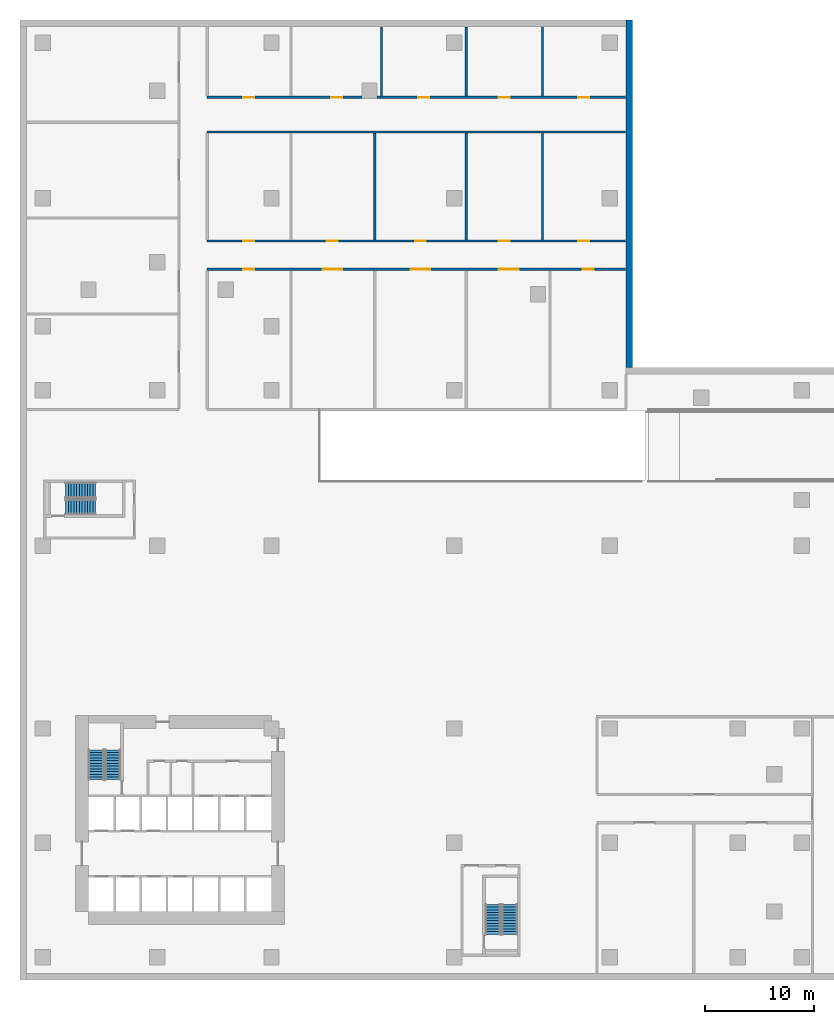
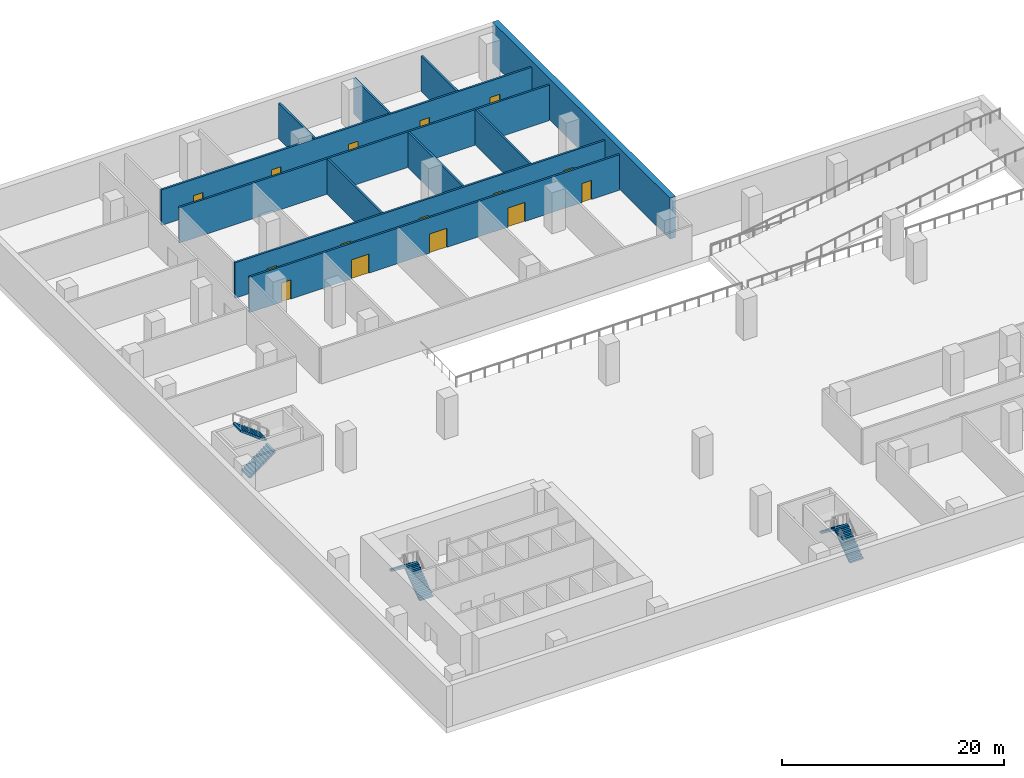
# One storey, part 8 of 12: 15 doors, 11 walls, 6 stair flights, 15 openings, 3 elements without a shape of their own.
"""IFC4 building model written with IfcOpenShell, lengths in metres."""

from ifc_helpers import new_model, si_unit, direction, frame, frame_2d, origin, place, context, subcontext, project, spatial, polyline, rectangle, outline, extrude, source, transform, mapped, material, layer, layer_set, type_object, element, fill, aggregate, save


model = new_model("IFC4")

# Units and contexts
model_context = context("Model", 3, precision=1e-05, world=origin(), true_north=direction((0.0, 1.0)))
body_context = subcontext(model_context, "Body", "Model", "MODEL_VIEW")
ifc_project = project(units=[si_unit("LENGTHUNIT", "METRE"), si_unit("AREAUNIT", "SQUARE_METRE"), si_unit("VOLUMEUNIT", "CUBIC_METRE"), si_unit("PLANEANGLEUNIT", "RADIAN"), si_unit("MASSUNIT", "GRAM", prefix="KILO")], contexts=[model_context])

# Site, building, storey
site_placement = place(None, origin())
site = spatial("IfcSite", under=ifc_project, at=site_placement, CompositionType="ELEMENT")
building_placement = place(site_placement, origin())
building = spatial("IfcBuilding", under=site, at=building_placement, Name="Aurelian Terraces", CompositionType="ELEMENT")
storey_placement = place(building_placement, frame((0.0, 0.0, -4.5)))
storey = spatial("IfcBuildingStorey", under=building, at=storey_placement, Name="B1", CompositionType="ELEMENT", Elevation=-4.5)

# Wall
ifc_material_1 = material(Name="Concrete fc' 40 MPa", Category="concrete")
ifc_layer_1 = layer(ifc_material_1, 0.6)
ifc_layer_set_1 = layer_set([ifc_layer_1], Name="BASEMENT WALL 600 FC40")
wall_type_1 = type_object("IfcWallType", Name="BASEMENT WALL 600 FC40", PredefinedType="SOLIDWALL", material=ifc_layer_set_1)
shared_shape_1 = source(origin(), body_context, "Body", "SweptSolid", [
    extrude(rectangle(XDim=31.92, YDim=0.6, at=frame_2d((15.96, 0.0))), origin(), (0.0, 0.0, 1.0), 4.5),
])
wall_1_placement = place(storey_placement, frame((53.88, 54.18, 0.0), z_axis=(0.0, 0.0, 1.0), x_axis=(0.0, 1.0, 0.0)))
element("IfcWall", 1, at=wall_1_placement, inside=storey, type_object=wall_type_1, Name="Basement wall 1 B1", PredefinedType="SOLIDWALL", context=body_context, shape_type="MappedRepresentation", body=[
    mapped(shared_shape_1, transform((0.0, 0.0, 0.0), scale=1.0)),
])

# Wall, openings, doors
ifc_material_2 = material(Name="Gypsum board on steel studs", Category="steel")
ifc_layer_2 = layer(ifc_material_2, 0.2)
ifc_layer_set_2 = layer_set([ifc_layer_2], Name="Basement partition 200")
wall_type_2 = type_object("IfcWallType", Name="Basement partition 200", PredefinedType="PARTITIONING", material=ifc_layer_set_2)
shared_shape_2 = source(origin(), body_context, "Body", "SweptSolid", [
    extrude(rectangle(XDim=38.42, YDim=0.2, at=frame_2d((19.21, 0.0))), origin(), (0.0, 0.0, 1.0), 3.9),
])
wall_2_placement = place(storey_placement, frame((15.1, 63.2, 0.0), z_axis=(0.0, 0.0, 1.0), x_axis=(1.0, 0.0, 0.0)))
wall_2 = element("IfcWall", 2, at=wall_2_placement, inside=storey, type_object=wall_type_2, Name="B1 partition 007", PredefinedType="PARTITIONING", context=body_context, shape_type="MappedRepresentation", body=[
    mapped(shared_shape_2, transform((0.0, 0.0, 0.0), scale=1.0)),
])
shared_shape_3 = source(origin(), body_context, "Body", "SweptSolid", [
    extrude(rectangle(XDim=1.0, YDim=2.1, at=frame_2d((0.5, 1.05))), frame((0.0, 0.11, 0.0), z_axis=(0.0, -1.0, 0.0), x_axis=(1.0, 0.0, 0.0)), (0.0, 0.0, 1.0), 0.22),
])
opening_1_placement = place(wall_2_placement, frame((3.3, 0.0, 0.0)))
opening_1 = element("IfcOpeningElement", 3, at=opening_1_placement, cuts=wall_2, Name="Opening 50204", PredefinedType="OPENING", context=body_context, shape_type="MappedRepresentation", body=[
    mapped(shared_shape_3, transform((0.0, 0.0, 0.0), scale=1.0)),
])
shared_shape_4 = source(origin(), body_context, "Body", "SweptSolid", [
    extrude(rectangle(XDim=1.8, YDim=2.1, at=frame_2d((0.9, 1.05))), frame((0.0, 0.11, 0.0), z_axis=(0.0, -1.0, 0.0), x_axis=(1.0, 0.0, 0.0)), (0.0, 0.0, 1.0), 0.22),
])
opening_2_placement = place(wall_2_placement, frame((10.6, 0.0, 0.0)))
opening_2 = element("IfcOpeningElement", 4, at=opening_2_placement, cuts=wall_2, Name="Opening 50205", PredefinedType="OPENING", context=body_context, shape_type="MappedRepresentation", body=[
    mapped(shared_shape_4, transform((0.0, 0.0, 0.0), scale=1.0)),
])
opening_3_placement = place(wall_2_placement, frame((18.7, 0.0, 0.0)))
opening_3 = element("IfcOpeningElement", 5, at=opening_3_placement, cuts=wall_2, Name="Opening 50206", PredefinedType="OPENING", context=body_context, shape_type="MappedRepresentation", body=[
    mapped(shared_shape_4, transform((0.0, 0.0, 0.0), scale=1.0)),
])
opening_4_placement = place(wall_2_placement, frame((26.8, 0.0, 0.0)))
opening_4 = element("IfcOpeningElement", 6, at=opening_4_placement, cuts=wall_2, Name="Opening 50207", PredefinedType="OPENING", context=body_context, shape_type="MappedRepresentation", body=[
    mapped(shared_shape_4, transform((0.0, 0.0, 0.0), scale=1.0)),
])
opening_5_placement = place(wall_2_placement, frame((34.5, 0.0, 0.0)))
opening_5 = element("IfcOpeningElement", 7, at=opening_5_placement, cuts=wall_2, Name="Opening 50208", PredefinedType="OPENING", context=body_context, shape_type="MappedRepresentation", body=[
    mapped(shared_shape_3, transform((0.0, 0.0, 0.0), scale=1.0)),
])
ifc_material_3 = material(Name="Steel door leaf", Category="steel")
door_type_1 = type_object("IfcDoorType", Name="Store door 1000x2100", OperationType="SINGLE_SWING_LEFT", PredefinedType="DOOR", material=ifc_material_3)
shared_shape_5 = source(origin(), body_context, "Body", "SweptSolid", [
    extrude(rectangle(XDim=1.0, YDim=2.1, at=frame_2d((0.5, 1.05))), frame((0.0, 0.025, 0.0), z_axis=(0.0, -1.0, 0.0), x_axis=(1.0, 0.0, 0.0)), (0.0, 0.0, 1.0), 0.05),
])
door_1_placement = place(opening_1_placement, origin())
door_1 = element("IfcDoor", 8, at=door_1_placement, inside=storey, type_object=door_type_1, Name="Room door 50204", OperationType="SINGLE_SWING_LEFT", OverallHeight=2.1, OverallWidth=1.0, PredefinedType="DOOR", context=body_context, shape_type="MappedRepresentation", body=[
    mapped(shared_shape_5, transform((0.0, 0.0, 0.0), scale=1.0)),
])
fill(opening_1, door_1)
door_2_placement = place(opening_5_placement, origin())
door_2 = element("IfcDoor", 9, at=door_2_placement, inside=storey, type_object=door_type_1, Name="Room door 50208", OperationType="SINGLE_SWING_LEFT", OverallHeight=2.1, OverallWidth=1.0, PredefinedType="DOOR", context=body_context, shape_type="MappedRepresentation", body=[
    mapped(shared_shape_5, transform((0.0, 0.0, 0.0), scale=1.0)),
])
fill(opening_5, door_2)
door_type_2 = type_object("IfcDoorType", Name="Back of house door double 1800x2100", OperationType="DOUBLE_DOOR_SINGLE_SWING", PredefinedType="DOOR", material=ifc_material_3)
shared_shape_6 = source(origin(), body_context, "Body", "SweptSolid", [
    extrude(rectangle(XDim=1.8, YDim=2.1, at=frame_2d((0.9, 1.05))), frame((0.0, 0.025, 0.0), z_axis=(0.0, -1.0, 0.0), x_axis=(1.0, 0.0, 0.0)), (0.0, 0.0, 1.0), 0.05),
])
door_3_placement = place(opening_2_placement, origin())
door_3 = element("IfcDoor", 10, at=door_3_placement, inside=storey, type_object=door_type_2, Name="Room door 50205", OperationType="DOUBLE_DOOR_SINGLE_SWING", OverallHeight=2.1, OverallWidth=1.8, PredefinedType="DOOR", context=body_context, shape_type="MappedRepresentation", body=[
    mapped(shared_shape_6, transform((0.0, 0.0, 0.0), scale=1.0)),
])
fill(opening_2, door_3)
door_4_placement = place(opening_3_placement, origin())
door_4 = element("IfcDoor", 11, at=door_4_placement, inside=storey, type_object=door_type_2, Name="Room door 50206", OperationType="DOUBLE_DOOR_SINGLE_SWING", OverallHeight=2.1, OverallWidth=1.8, PredefinedType="DOOR", context=body_context, shape_type="MappedRepresentation", body=[
    mapped(shared_shape_6, transform((0.0, 0.0, 0.0), scale=1.0)),
])
fill(opening_3, door_4)
door_5_placement = place(opening_4_placement, origin())
door_5 = element("IfcDoor", 12, at=door_5_placement, inside=storey, type_object=door_type_2, Name="Room door 50207", OperationType="DOUBLE_DOOR_SINGLE_SWING", OverallHeight=2.1, OverallWidth=1.8, PredefinedType="DOOR", context=body_context, shape_type="MappedRepresentation", body=[
    mapped(shared_shape_6, transform((0.0, 0.0, 0.0), scale=1.0)),
])
fill(opening_4, door_5)

wall_3_placement = place(storey_placement, frame((15.1, 65.8, 0.0), z_axis=(0.0, 0.0, 1.0), x_axis=(1.0, 0.0, 0.0)))
wall_3 = element("IfcWall", 13, at=wall_3_placement, inside=storey, type_object=wall_type_2, Name="B1 partition 008", PredefinedType="PARTITIONING", context=body_context, shape_type="MappedRepresentation", body=[
    mapped(shared_shape_2, transform((0.0, 0.0, 0.0), scale=1.0)),
])
opening_6_placement = place(wall_3_placement, frame((3.3, 0.0, 0.0)))
opening_6 = element("IfcOpeningElement", 14, at=opening_6_placement, cuts=wall_3, Name="Opening 50209", PredefinedType="OPENING", context=body_context, shape_type="MappedRepresentation", body=[
    mapped(shared_shape_3, transform((0.0, 0.0, 0.0), scale=1.0)),
])
opening_7_placement = place(wall_3_placement, frame((11.0, 0.0, 0.0)))
opening_7 = element("IfcOpeningElement", 15, at=opening_7_placement, cuts=wall_3, Name="Opening 50210", PredefinedType="OPENING", context=body_context, shape_type="MappedRepresentation", body=[
    mapped(shared_shape_3, transform((0.0, 0.0, 0.0), scale=1.0)),
])
opening_8_placement = place(wall_3_placement, frame((19.1, 0.0, 0.0)))
opening_8 = element("IfcOpeningElement", 16, at=opening_8_placement, cuts=wall_3, Name="Opening 50211", PredefinedType="OPENING", context=body_context, shape_type="MappedRepresentation", body=[
    mapped(shared_shape_3, transform((0.0, 0.0, 0.0), scale=1.0)),
])
opening_9_placement = place(wall_3_placement, frame((26.8, 0.0, 0.0)))
opening_9 = element("IfcOpeningElement", 17, at=opening_9_placement, cuts=wall_3, Name="Opening 50212", PredefinedType="OPENING", context=body_context, shape_type="MappedRepresentation", body=[
    mapped(shared_shape_3, transform((0.0, 0.0, 0.0), scale=1.0)),
])
opening_10_placement = place(wall_3_placement, frame((34.1, 0.0, 0.0)))
opening_10 = element("IfcOpeningElement", 18, at=opening_10_placement, cuts=wall_3, Name="Opening 50213", PredefinedType="OPENING", context=body_context, shape_type="MappedRepresentation", body=[
    mapped(shared_shape_3, transform((0.0, 0.0, 0.0), scale=1.0)),
])
door_type_3 = type_object("IfcDoorType", Name="Store door 1000x2100 right", OperationType="SINGLE_SWING_RIGHT", PredefinedType="DOOR", material=ifc_material_3)
door_6_placement = place(opening_6_placement, origin())
door_6 = element("IfcDoor", 19, at=door_6_placement, inside=storey, type_object=door_type_3, Name="Room door 50209", OperationType="SINGLE_SWING_RIGHT", OverallHeight=2.1, OverallWidth=1.0, PredefinedType="DOOR", context=body_context, shape_type="MappedRepresentation", body=[
    mapped(shared_shape_5, transform((0.0, 0.0, 0.0), scale=1.0)),
])
fill(opening_6, door_6)
door_7_placement = place(opening_7_placement, origin())
door_7 = element("IfcDoor", 20, at=door_7_placement, inside=storey, type_object=door_type_1, Name="Room door 50210", OperationType="SINGLE_SWING_LEFT", OverallHeight=2.1, OverallWidth=1.0, PredefinedType="DOOR", context=body_context, shape_type="MappedRepresentation", body=[
    mapped(shared_shape_5, transform((0.0, 0.0, 0.0), scale=1.0)),
])
fill(opening_7, door_7)
door_8_placement = place(opening_8_placement, origin())
door_8 = element("IfcDoor", 21, at=door_8_placement, inside=storey, type_object=door_type_3, Name="Room door 50211", OperationType="SINGLE_SWING_RIGHT", OverallHeight=2.1, OverallWidth=1.0, PredefinedType="DOOR", context=body_context, shape_type="MappedRepresentation", body=[
    mapped(shared_shape_5, transform((0.0, 0.0, 0.0), scale=1.0)),
])
fill(opening_8, door_8)
door_9_placement = place(opening_9_placement, origin())
door_9 = element("IfcDoor", 22, at=door_9_placement, inside=storey, type_object=door_type_1, Name="Room door 50212", OperationType="SINGLE_SWING_LEFT", OverallHeight=2.1, OverallWidth=1.0, PredefinedType="DOOR", context=body_context, shape_type="MappedRepresentation", body=[
    mapped(shared_shape_5, transform((0.0, 0.0, 0.0), scale=1.0)),
])
fill(opening_9, door_9)
door_10_placement = place(opening_10_placement, origin())
door_10 = element("IfcDoor", 23, at=door_10_placement, inside=storey, type_object=door_type_3, Name="Room door 50213", OperationType="SINGLE_SWING_RIGHT", OverallHeight=2.1, OverallWidth=1.0, PredefinedType="DOOR", context=body_context, shape_type="MappedRepresentation", body=[
    mapped(shared_shape_5, transform((0.0, 0.0, 0.0), scale=1.0)),
])
fill(opening_10, door_10)

# Wall
wall_4_placement = place(storey_placement, frame((15.1, 75.8, 0.0), z_axis=(0.0, 0.0, 1.0), x_axis=(1.0, 0.0, 0.0)))
element("IfcWall", 24, at=wall_4_placement, inside=storey, type_object=wall_type_2, Name="B1 partition 010", PredefinedType="PARTITIONING", context=body_context, shape_type="MappedRepresentation", body=[
    mapped(shared_shape_2, transform((0.0, 0.0, 0.0), scale=1.0)),
])

# Wall, openings, doors
wall_5_placement = place(storey_placement, frame((15.1, 79.0, 0.0), z_axis=(0.0, 0.0, 1.0), x_axis=(1.0, 0.0, 0.0)))
wall_5 = element("IfcWall", 25, at=wall_5_placement, inside=storey, type_object=wall_type_2, Name="B1 partition 012", PredefinedType="PARTITIONING", context=body_context, shape_type="MappedRepresentation", body=[
    mapped(shared_shape_2, transform((0.0, 0.0, 0.0), scale=1.0)),
])
opening_11_placement = place(wall_5_placement, frame((3.3, 0.0, 0.0)))
opening_11 = element("IfcOpeningElement", 26, at=opening_11_placement, cuts=wall_5, Name="Opening 50214", PredefinedType="OPENING", context=body_context, shape_type="MappedRepresentation", body=[
    mapped(shared_shape_3, transform((0.0, 0.0, 0.0), scale=1.0)),
])
opening_12_placement = place(wall_5_placement, frame((11.4, 0.0, 0.0)))
opening_12 = element("IfcOpeningElement", 27, at=opening_12_placement, cuts=wall_5, Name="Opening 50215", PredefinedType="OPENING", context=body_context, shape_type="MappedRepresentation", body=[
    mapped(shared_shape_3, transform((0.0, 0.0, 0.0), scale=1.0)),
])
opening_13_placement = place(wall_5_placement, frame((19.4, 0.0, 0.0)))
opening_13 = element("IfcOpeningElement", 28, at=opening_13_placement, cuts=wall_5, Name="Opening 50216", PredefinedType="OPENING", context=body_context, shape_type="MappedRepresentation", body=[
    mapped(shared_shape_3, transform((0.0, 0.0, 0.0), scale=1.0)),
])
opening_14_placement = place(wall_5_placement, frame((26.8, 0.0, 0.0)))
opening_14 = element("IfcOpeningElement", 29, at=opening_14_placement, cuts=wall_5, Name="Opening 50217", PredefinedType="OPENING", context=body_context, shape_type="MappedRepresentation", body=[
    mapped(shared_shape_3, transform((0.0, 0.0, 0.0), scale=1.0)),
])
opening_15_placement = place(wall_5_placement, frame((34.1, 0.0, 0.0)))
opening_15 = element("IfcOpeningElement", 30, at=opening_15_placement, cuts=wall_5, Name="Opening 50218", PredefinedType="OPENING", context=body_context, shape_type="MappedRepresentation", body=[
    mapped(shared_shape_3, transform((0.0, 0.0, 0.0), scale=1.0)),
])
door_11_placement = place(opening_11_placement, origin())
door_11 = element("IfcDoor", 31, at=door_11_placement, inside=storey, type_object=door_type_1, Name="Room door 50214", OperationType="SINGLE_SWING_LEFT", OverallHeight=2.1, OverallWidth=1.0, PredefinedType="DOOR", context=body_context, shape_type="MappedRepresentation", body=[
    mapped(shared_shape_5, transform((0.0, 0.0, 0.0), scale=1.0)),
])
fill(opening_11, door_11)
door_12_placement = place(opening_12_placement, origin())
door_12 = element("IfcDoor", 32, at=door_12_placement, inside=storey, type_object=door_type_3, Name="Room door 50215", OperationType="SINGLE_SWING_RIGHT", OverallHeight=2.1, OverallWidth=1.0, PredefinedType="DOOR", context=body_context, shape_type="MappedRepresentation", body=[
    mapped(shared_shape_5, transform((0.0, 0.0, 0.0), scale=1.0)),
])
fill(opening_12, door_12)
door_13_placement = place(opening_13_placement, origin())
door_13 = element("IfcDoor", 33, at=door_13_placement, inside=storey, type_object=door_type_1, Name="Room door 50216", OperationType="SINGLE_SWING_LEFT", OverallHeight=2.1, OverallWidth=1.0, PredefinedType="DOOR", context=body_context, shape_type="MappedRepresentation", body=[
    mapped(shared_shape_5, transform((0.0, 0.0, 0.0), scale=1.0)),
])
fill(opening_13, door_13)
door_14_placement = place(opening_14_placement, origin())
door_14 = element("IfcDoor", 34, at=door_14_placement, inside=storey, type_object=door_type_3, Name="Room door 50217", OperationType="SINGLE_SWING_RIGHT", OverallHeight=2.1, OverallWidth=1.0, PredefinedType="DOOR", context=body_context, shape_type="MappedRepresentation", body=[
    mapped(shared_shape_5, transform((0.0, 0.0, 0.0), scale=1.0)),
])
fill(opening_14, door_14)
door_15_placement = place(opening_15_placement, origin())
door_15 = element("IfcDoor", 35, at=door_15_placement, inside=storey, type_object=door_type_1, Name="Room door 50218", OperationType="SINGLE_SWING_LEFT", OverallHeight=2.1, OverallWidth=1.0, PredefinedType="DOOR", context=body_context, shape_type="MappedRepresentation", body=[
    mapped(shared_shape_5, transform((0.0, 0.0, 0.0), scale=1.0)),
])
fill(opening_15, door_15)

# Walls
shared_shape_7 = source(origin(), body_context, "Body", "SweptSolid", [
    extrude(rectangle(XDim=9.8, YDim=0.2, at=frame_2d((4.9, 0.0))), origin(), (0.0, 0.0, 1.0), 3.9),
])
for number, where, z_axis, x_axis, name in (
    (36, (30.5, 65.9, 0.0), (0.0, 0.0, 1.0), (0.0, 1.0, 0.0), "B1 partition 021"),
    (37, (38.9, 65.9, 0.0), (0.0, 0.0, 1.0), (0.0, 1.0, 0.0), "B1 partition 024"),
    (38, (45.9, 65.9, 0.0), (0.0, 0.0, 1.0), (0.0, 1.0, 0.0), "B1 partition 026"),
):
    element("IfcWall", number, at=place(storey_placement, frame(where, z_axis=z_axis, x_axis=x_axis)), inside=storey, type_object=wall_type_2, Name=name, PredefinedType="PARTITIONING", context=body_context, shape_type="MappedRepresentation", body=[
        mapped(shared_shape_7, transform((0.0, 0.0, 0.0), scale=1.0)),
    ])
shared_shape_8 = source(origin(), body_context, "Body", "SweptSolid", [
    extrude(rectangle(XDim=6.34, YDim=0.2, at=frame_2d((3.17, 0.0))), origin(), (0.0, 0.0, 1.0), 3.9),
])
for number, where, z_axis, x_axis, name in (
    (39, (31.1, 79.1, 0.0), (0.0, 0.0, 1.0), (0.0, 1.0, 0.0), "B1 partition 022"),
    (40, (38.9, 79.1, 0.0), (0.0, 0.0, 1.0), (0.0, 1.0, 0.0), "B1 partition 025"),
    (41, (45.9, 79.1, 0.0), (0.0, 0.0, 1.0), (0.0, 1.0, 0.0), "B1 partition 027"),
):
    element("IfcWall", number, at=place(storey_placement, frame(where, z_axis=z_axis, x_axis=x_axis)), inside=storey, type_object=wall_type_2, Name=name, PredefinedType="PARTITIONING", context=body_context, shape_type="MappedRepresentation", body=[
        mapped(shared_shape_8, transform((0.0, 0.0, 0.0), scale=1.0)),
    ])

# Stair, stair flights
stair_type = type_object("IfcStairType", Name="Stair 1400", PredefinedType="HALF_TURN_STAIR", material=ifc_material_1)
stair_1_placement = place(storey_placement, origin())
stair_1 = element("IfcStair", 42, at=stair_1_placement, inside=storey, type_object=stair_type, Name="B1 S1", PredefinedType="HALF_TURN_STAIR")
stair_flight_type = type_object("IfcStairFlightType", Name="Stair flight 1400", PredefinedType="STRAIGHT", material=ifc_material_1)
shared_shape_9 = source(origin(), body_context, "Body", "SweptSolid", [
    extrude(outline(polyline([(0.0, 0.0), (0.0, 0.1875), (0.25, 0.1875), (0.25, 0.375), (0.5, 0.375), (0.5, 0.5625), (0.75, 0.5625), (0.75, 0.75), (1.0, 0.75), (1.0, 0.9375), (1.25, 0.9375), (1.25, 1.125), (1.5, 1.125), (1.5, 1.3125), (1.75, 1.3125), (1.75, 1.5), (2.0, 1.5), (2.0, 1.6875), (2.25, 1.6875), (2.25, 1.875), (2.5, 1.875), (2.5, 2.0625), (2.75, 2.0625), (2.75, 2.25), (2.75, 1.875), (0.25, 0.0), (0.0, 0.0)])), frame((0.0, 0.7, 0.0), z_axis=(0.0, -1.0, 0.0), x_axis=(1.0, 0.0, 0.0)), (0.0, 0.0, 1.0), 1.4),
])
stair_flight_1_placement = place(storey_placement, frame((6.45, 16.3, 2e-08), z_axis=(0.0, 0.0, 1.0), x_axis=(0.0, 1.0, 0.0)))
stair_flight_1 = element("IfcStairFlight", 43, at=stair_flight_1_placement, type_object=stair_flight_type, Name="S1 flight 1", NumberOfRisers=12, NumberOfTreads=11, PredefinedType="STRAIGHT", RiserHeight=0.1875, TreadLength=0.25, context=body_context, shape_type="MappedRepresentation", body=[
    mapped(shared_shape_9, transform((0.0, 0.0, 0.0), scale=1.0)),
])
stair_flight_2_placement = place(storey_placement, frame((4.9, 19.05, 2.25000002), z_axis=(0.0, 0.0, 1.0), x_axis=(0.0, -1.0, 0.0)))
stair_flight_2 = element("IfcStairFlight", 44, at=stair_flight_2_placement, type_object=stair_flight_type, Name="S1 flight 2", NumberOfRisers=12, NumberOfTreads=11, PredefinedType="STRAIGHT", RiserHeight=0.1875, TreadLength=0.25, context=body_context, shape_type="MappedRepresentation", body=[
    mapped(shared_shape_9, transform((0.0, 0.0, 0.0), scale=1.0)),
])
aggregate(stair_1, [stair_flight_1, stair_flight_2])

stair_2_placement = place(storey_placement, origin())
stair_2 = element("IfcStair", 45, at=stair_2_placement, inside=storey, type_object=stair_type, Name="B1 S2", PredefinedType="HALF_TURN_STAIR")
stair_flight_3_placement = place(storey_placement, frame((42.9, 2.1, 2e-08), z_axis=(0.0, 0.0, 1.0), x_axis=(0.0, 1.0, 0.0)))
stair_flight_3 = element("IfcStairFlight", 46, at=stair_flight_3_placement, type_object=stair_flight_type, Name="S2 flight 1", NumberOfRisers=12, NumberOfTreads=11, PredefinedType="STRAIGHT", RiserHeight=0.1875, TreadLength=0.25, context=body_context, shape_type="MappedRepresentation", body=[
    mapped(shared_shape_9, transform((0.0, 0.0, 0.0), scale=1.0)),
])
stair_flight_4_placement = place(storey_placement, frame((41.35, 4.85, 2.25000002), z_axis=(0.0, 0.0, 1.0), x_axis=(0.0, -1.0, 0.0)))
stair_flight_4 = element("IfcStairFlight", 47, at=stair_flight_4_placement, type_object=stair_flight_type, Name="S2 flight 2", NumberOfRisers=12, NumberOfTreads=11, PredefinedType="STRAIGHT", RiserHeight=0.1875, TreadLength=0.25, context=body_context, shape_type="MappedRepresentation", body=[
    mapped(shared_shape_9, transform((0.0, 0.0, 0.0), scale=1.0)),
])
aggregate(stair_2, [stair_flight_3, stair_flight_4])

stair_3_placement = place(storey_placement, origin())
stair_3 = element("IfcStair", 48, at=stair_3_placement, inside=storey, type_object=stair_type, Name="B1 S3", PredefinedType="HALF_TURN_STAIR")
stair_flight_5_placement = place(storey_placement, frame((2.1, 41.35, -9.997999999976694e-05), z_axis=(0.0, 0.0, 1.0), x_axis=(1.0, 0.0, 0.0)))
stair_flight_5 = element("IfcStairFlight", 49, at=stair_flight_5_placement, type_object=stair_flight_type, Name="S3 flight 1", NumberOfRisers=12, NumberOfTreads=11, PredefinedType="STRAIGHT", RiserHeight=0.1875, TreadLength=0.25, context=body_context, shape_type="MappedRepresentation", body=[
    mapped(shared_shape_9, transform((0.0, 0.0, 0.0), scale=1.0)),
])
stair_flight_6_placement = place(storey_placement, frame((4.85, 42.9, 2.25000002), z_axis=(0.0, 0.0, 1.0), x_axis=(-1.0, 0.0, 0.0)))
stair_flight_6 = element("IfcStairFlight", 50, at=stair_flight_6_placement, type_object=stair_flight_type, Name="S3 flight 2", NumberOfRisers=12, NumberOfTreads=11, PredefinedType="STRAIGHT", RiserHeight=0.1875, TreadLength=0.25, context=body_context, shape_type="MappedRepresentation", body=[
    mapped(shared_shape_9, transform((0.0, 0.0, 0.0), scale=1.0)),
])
aggregate(stair_3, [stair_flight_5, stair_flight_6])

save(model, "model.ifc")
